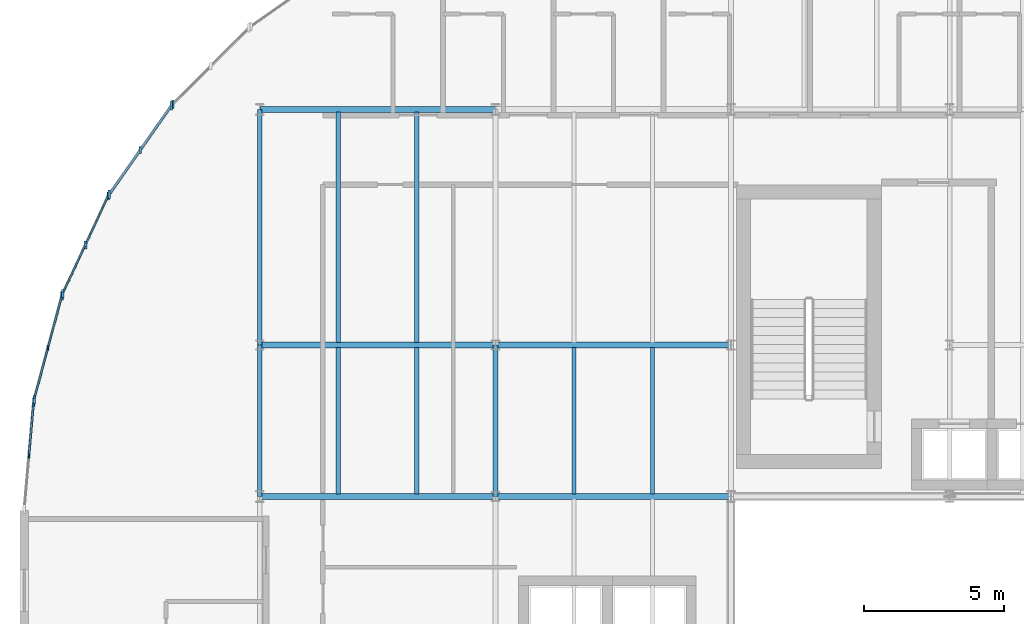
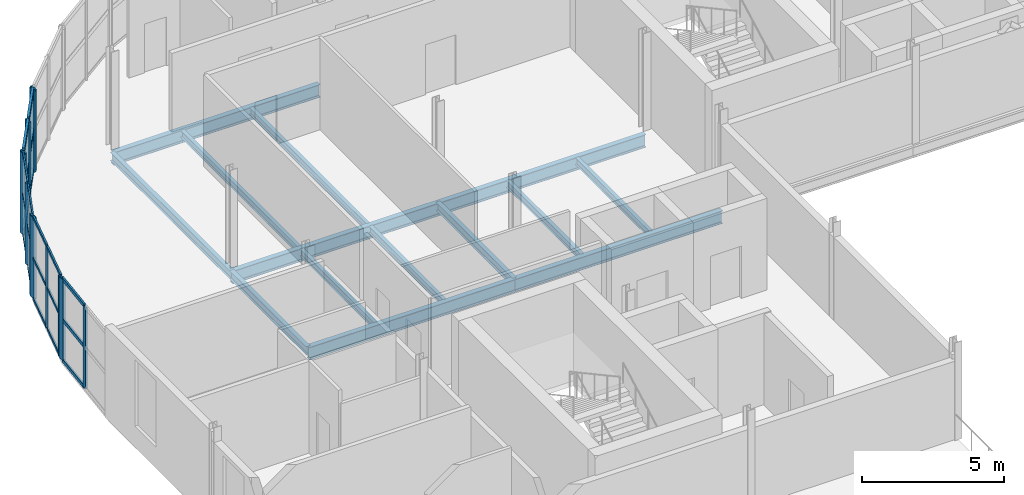
# One storey, part 5 of 22: 33 members, 14 beams, 5 elements without a shape of their own.
"""IFC4 building model written with IfcOpenShell, lengths in metres."""

from ifc_helpers import new_model, si_unit, direction, frame, origin, origin_2d, place, context, subcontext, project, spatial, rectangle, i_section, extrude, material, layer, layer_set, material_profile, profile_set, type_object, element, aggregate, save


model = new_model("IFC4")

# Units and contexts
model_context = context("Model", 3, precision=1e-05, world=origin(), true_north=direction((0.0, 1.0)))
body_context = subcontext(model_context, "Body", "Model", "MODEL_VIEW")
ifc_project = project(units=[si_unit("LENGTHUNIT", "METRE"), si_unit("AREAUNIT", "SQUARE_METRE"), si_unit("VOLUMEUNIT", "CUBIC_METRE"), si_unit("PLANEANGLEUNIT", "RADIAN"), si_unit("MASSUNIT", "GRAM", prefix="KILO")], contexts=[model_context])

# Site, building, storey
site_placement = place(None, origin())
site = spatial("IfcSite", under=ifc_project, at=site_placement, CompositionType="ELEMENT")
building_placement = place(site_placement, origin())
building = spatial("IfcBuilding", under=site, at=building_placement, Name="Sefraquen Railside Congress Hotel", CompositionType="ELEMENT")
storey_placement = place(building_placement, frame((0.0, 0.0, 42.60009765625)))
storey = spatial("IfcBuildingStorey", under=building, at=storey_placement, Name="L10", CompositionType="ELEMENT", Elevation=42.60009765625)

# Beams
ifc_material_1 = material(Name="Steel S355JR", Category="steel")
ifc_material_profile_1 = material_profile(ifc_material_1, i_section(OverallWidth=0.169921875, OverallDepth=0.360107421875, WebThickness=0.008056640625, FlangeThickness=0.0126953125, FilletRadius=0.01806640625, at=origin_2d()), Name="IPE 360")
ifc_profile_set_1 = profile_set([ifc_material_profile_1], Name="Steel S355JR")
beam_type_1 = type_object("IfcBeamType", Name="TB-BM-360", PredefinedType="BEAM", material=ifc_profile_set_1)
beam_1_placement = place(storey_placement, frame((8.39990234375, 96.0, -0.400146484375), z_axis=(0.0, 1.0, 0.0), x_axis=(-1.0, 0.0, 0.0)))
element("IfcBeam", 1, at=beam_1_placement, inside=storey, type_object=beam_type_1, Name="Floor beam BM-L10-2107", PredefinedType="BEAM", context=body_context, shape_type="SweptSolid", body=[
    extrude(i_section(OverallWidth=0.169921875, OverallDepth=0.360107421875, WebThickness=0.008056640625, FlangeThickness=0.0126953125, FilletRadius=0.01806640625, at=origin_2d()), origin(), (0.0, 0.0, 1.0), 5.39990234375),
])
beam_2_placement = place(storey_placement, frame((8.39990234375, 101.39990234375, -0.400146484375), z_axis=(0.0, 1.0, 0.0), x_axis=(-1.0, 0.0, 0.0)))
element("IfcBeam", 2, at=beam_2_placement, inside=storey, type_object=beam_type_1, Name="Floor beam BM-L10-2108", PredefinedType="BEAM", context=body_context, shape_type="SweptSolid", body=[
    extrude(i_section(OverallWidth=0.169921875, OverallDepth=0.360107421875, WebThickness=0.008056640625, FlangeThickness=0.0126953125, FilletRadius=0.01806640625, at=origin_2d()), origin(), (0.0, 0.0, 1.0), 8.400146484375),
])
beam_3_placement = place(storey_placement, frame((16.800048828125, 96.0, -0.400146484375), z_axis=(0.0, 1.0, 0.0), x_axis=(-1.0, 0.0, 0.0)))
element("IfcBeam", 3, at=beam_3_placement, inside=storey, type_object=beam_type_1, Name="Floor beam BM-L10-2113", PredefinedType="BEAM", context=body_context, shape_type="SweptSolid", body=[
    extrude(i_section(OverallWidth=0.169921875, OverallDepth=0.360107421875, WebThickness=0.008056640625, FlangeThickness=0.0126953125, FilletRadius=0.01806640625, at=origin_2d()), origin(), (0.0, 0.0, 1.0), 5.39990234375),
])
ifc_material_profile_2 = material_profile(ifc_material_1, i_section(OverallWidth=0.2099609375, OverallDepth=0.550048828125, WebThickness=0.010986328125, FlangeThickness=0.01708984375, FilletRadius=0.02392578125, at=origin_2d()), Name="IPE 550")
ifc_profile_set_2 = profile_set([ifc_material_profile_2], Name="Steel S355JR")
beam_type_2 = type_object("IfcBeamType", Name="TB-GIR-550", PredefinedType="T_BEAM", material=ifc_profile_set_2)
beam_4_placement = place(storey_placement, frame((8.39990234375, 96.0, -0.4951171875), z_axis=(1.0, 0.0, 0.0), x_axis=(0.0, 1.0, 0.0)))
element("IfcBeam", 4, at=beam_4_placement, inside=storey, type_object=beam_type_2, Name="Primary girder BM-L10-2060", PredefinedType="T_BEAM", context=body_context, shape_type="SweptSolid", body=[
    extrude(i_section(OverallWidth=0.2099609375, OverallDepth=0.550048828125, WebThickness=0.010986328125, FlangeThickness=0.01708984375, FilletRadius=0.02392578125, at=origin_2d()), origin(), (0.0, 0.0, 1.0), 8.400146484375),
])
beam_5_placement = place(storey_placement, frame((16.800048828125, 96.0, -0.4951171875), z_axis=(1.0, 0.0, 0.0), x_axis=(0.0, 1.0, 0.0)))
element("IfcBeam", 5, at=beam_5_placement, inside=storey, type_object=beam_type_2, Name="Primary girder BM-L10-2061", PredefinedType="T_BEAM", context=body_context, shape_type="SweptSolid", body=[
    extrude(i_section(OverallWidth=0.2099609375, OverallDepth=0.550048828125, WebThickness=0.010986328125, FlangeThickness=0.01708984375, FilletRadius=0.02392578125, at=origin_2d()), origin(), (0.0, 0.0, 1.0), 8.39990234375),
])
beam_6_placement = place(storey_placement, frame((8.39990234375, 101.39990234375, -0.4951171875), z_axis=(1.0, 0.0, 0.0), x_axis=(0.0, 1.0, 0.0)))
element("IfcBeam", 6, at=beam_6_placement, inside=storey, type_object=beam_type_2, Name="Primary girder BM-L10-2071", PredefinedType="T_BEAM", context=body_context, shape_type="SweptSolid", body=[
    extrude(i_section(OverallWidth=0.2099609375, OverallDepth=0.550048828125, WebThickness=0.010986328125, FlangeThickness=0.01708984375, FilletRadius=0.02392578125, at=origin_2d()), origin(), (0.0, 0.0, 1.0), 8.400146484375),
])
beam_7_placement = place(storey_placement, frame((16.800048828125, 101.39990234375, -0.4951171875), z_axis=(1.0, 0.0, 0.0), x_axis=(0.0, 1.0, 0.0)))
element("IfcBeam", 7, at=beam_7_placement, inside=storey, type_object=beam_type_2, Name="Primary girder BM-L10-2072", PredefinedType="T_BEAM", context=body_context, shape_type="SweptSolid", body=[
    extrude(i_section(OverallWidth=0.2099609375, OverallDepth=0.550048828125, WebThickness=0.010986328125, FlangeThickness=0.01708984375, FilletRadius=0.02392578125, at=origin_2d()), origin(), (0.0, 0.0, 1.0), 8.39990234375),
])
beam_8_placement = place(storey_placement, frame((8.39990234375, 109.800048828125, -0.4951171875), z_axis=(1.0, 0.0, 0.0), x_axis=(0.0, 1.0, 0.0)))
element("IfcBeam", 8, at=beam_8_placement, inside=storey, type_object=beam_type_2, Name="Primary girder BM-L10-2080", PredefinedType="T_BEAM", context=body_context, shape_type="SweptSolid", body=[
    extrude(i_section(OverallWidth=0.2099609375, OverallDepth=0.550048828125, WebThickness=0.010986328125, FlangeThickness=0.01708984375, FilletRadius=0.02392578125, at=origin_2d()), origin(), (0.0, 0.0, 1.0), 8.400146484375),
])
ifc_material_profile_3 = material_profile(ifc_material_1, i_section(OverallWidth=0.14990234375, OverallDepth=0.300048828125, WebThickness=0.007080078125, FlangeThickness=0.0107421875, FilletRadius=0.014892578125, at=origin_2d()), Name="IPE 300")
ifc_profile_set_3 = profile_set([ifc_material_profile_3], Name="Steel S355JR")
beam_type_3 = type_object("IfcBeamType", Name="TB-JST-300", PredefinedType="JOIST", material=ifc_profile_set_3)
for number, where, z_axis, x_axis, name in (
    (9, (11.199951171875, 96.0849609375, -0.3701171875), (0.0, 1.0, 0.0), (-1.0, 0.0, 0.0), "Composite floor joist BM-L10-J1406"),
    (10, (14.0, 96.0849609375, -0.3701171875), (0.0, 1.0, 0.0), (-1.0, 0.0, 0.0), "Composite floor joist BM-L10-J1407"),
):
    element("IfcBeam", number, at=place(storey_placement, frame(where, z_axis=z_axis, x_axis=x_axis)), inside=storey, type_object=beam_type_3, Name=name, PredefinedType="JOIST", context=body_context, shape_type="SweptSolid", body=[
        extrude(i_section(OverallWidth=0.14990234375, OverallDepth=0.300048828125, WebThickness=0.007080078125, FlangeThickness=0.0107421875, FilletRadius=0.014892578125, at=origin_2d()), origin(), (0.0, 0.0, 1.0), 5.22998046875),
    ])
for number, where, z_axis, x_axis, name in (
    (11, (11.199951171875, 101.485107421875, -0.3701171875), (0.0, 1.0, 0.0), (-1.0, 0.0, 0.0), "Composite floor joist BM-L10-J1408"),
    (12, (14.0, 101.485107421875, -0.3701171875), (0.0, 1.0, 0.0), (-1.0, 0.0, 0.0), "Composite floor joist BM-L10-J1409"),
):
    element("IfcBeam", number, at=place(storey_placement, frame(where, z_axis=z_axis, x_axis=x_axis)), inside=storey, type_object=beam_type_3, Name=name, PredefinedType="JOIST", context=body_context, shape_type="SweptSolid", body=[
        extrude(i_section(OverallWidth=0.14990234375, OverallDepth=0.300048828125, WebThickness=0.007080078125, FlangeThickness=0.0107421875, FilletRadius=0.014892578125, at=origin_2d()), origin(), (0.0, 0.0, 1.0), 8.22998046875),
    ])
for number, where, z_axis, x_axis, name in (
    (13, (19.60009765625, 96.0849609375, -0.3701171875), (0.0, 1.0, 0.0), (-1.0, 0.0, 0.0), "Composite floor joist BM-L10-J1418"),
    (14, (22.39990234375, 96.0849609375, -0.3701171875), (0.0, 1.0, 0.0), (-1.0, 0.0, 0.0), "Composite floor joist BM-L10-J1419"),
):
    element("IfcBeam", number, at=place(storey_placement, frame(where, z_axis=z_axis, x_axis=x_axis)), inside=storey, type_object=beam_type_3, Name=name, PredefinedType="JOIST", context=body_context, shape_type="SweptSolid", body=[
        extrude(i_section(OverallWidth=0.14990234375, OverallDepth=0.300048828125, WebThickness=0.007080078125, FlangeThickness=0.0107421875, FilletRadius=0.014892578125, at=origin_2d()), origin(), (0.0, 0.0, 1.0), 5.22998046875),
    ])

# Curtain wall, member
ifc_material_2 = material(Name="Thermally broken anodised aluminium and low-E double glazing", Category="aluminium")
ifc_layer_1 = layer(ifc_material_2, 0.199951171875)
ifc_layer_set_1 = layer_set([ifc_layer_1], Name="Thermally broken anodised aluminium and low-E double glazing")
curtain_wall_type_1 = type_object("IfcCurtainWallType", Name="TCW-UCW-02", PredefinedType="USERDEFINED", material=ifc_layer_set_1)
curtain_wall_1_placement = place(storey_placement, origin())
curtain_wall_1 = element("IfcCurtainWall", 15, at=curtain_wall_1_placement, inside=storey, type_object=curtain_wall_type_1, Name="Rotunda L10 curved curtain wall facet 8", ObjectType="UNITISED CURTAIN WALL", PredefinedType="USERDEFINED")
ifc_material_3 = material(Name="Thermally broken anodised aluminium 6063-T6", Category="aluminium")
ifc_material_profile_4 = material_profile(ifc_material_3, rectangle(XDim=0.06005859375, YDim=0.159912109375, at=origin_2d()), Name="CWM 60x160")
ifc_profile_set_4 = profile_set([ifc_material_profile_4], Name="Thermally broken anodised aluminium 6063-T6")
member_type_1 = type_object("IfcMemberType", Name="TM-CWM-01", PredefinedType="MULLION", material=ifc_profile_set_4)
member_1_placement = place(storey_placement, frame((0.849365234375, 101.30126953125, 0.0), z_axis=(0.0, 0.0, 1.0), x_axis=(1.0, 0.0, 0.0)))
member_1 = element("IfcMember", 16, at=member_1_placement, type_object=member_type_1, Name="CW-L10-ROT-08 mullion 2", PredefinedType="MULLION", context=body_context, shape_type="SweptSolid", body=[
    extrude(rectangle(XDim=0.06005859375, YDim=0.159912109375, at=origin_2d()), origin(), (0.0, 0.0, 1.0), 3.489990234375),
])

ifc_layer_2 = layer(ifc_material_2, 0.199951171875)
ifc_layer_set_2 = layer_set([ifc_layer_2], Name="Thermally broken anodised aluminium and low-E double glazing")
curtain_wall_type_2 = type_object("IfcCurtainWallType", Name="TCW-UCW-03", PredefinedType="USERDEFINED", material=ifc_layer_set_2)
curtain_wall_2_placement = place(storey_placement, origin())
curtain_wall_2 = element("IfcCurtainWall", 17, at=curtain_wall_2_placement, inside=storey, type_object=curtain_wall_type_2, Name="Rotunda L10 curved curtain wall facet 9", ObjectType="UNITISED CURTAIN WALL", PredefinedType="USERDEFINED")
ifc_material_profile_5 = material_profile(ifc_material_3, rectangle(XDim=0.06494140625, YDim=0.179931640625, at=origin_2d()), Name="CWM 65x180")
ifc_profile_set_5 = profile_set([ifc_material_profile_5], Name="Thermally broken anodised aluminium 6063-T6")
member_type_2 = type_object("IfcMemberType", Name="TM-CWM-02", PredefinedType="MULLION", material=ifc_profile_set_5)
member_2_placement = place(storey_placement, frame((0.1708984375, 97.45361328125, 0.0), z_axis=(0.0, 0.0, 1.0), x_axis=(1.0, 0.0, 0.0)))
member_2 = element("IfcMember", 18, at=member_2_placement, type_object=member_type_2, Name="CW-L10-ROT-09 mullion 2", PredefinedType="MULLION", context=body_context, shape_type="SweptSolid", body=[
    extrude(rectangle(XDim=0.06494140625, YDim=0.179931640625, at=origin_2d()), origin(), (0.0, 0.0, 1.0), 3.489990234375),
])

ifc_layer_3 = layer(ifc_material_2, 0.199951171875)
ifc_layer_set_3 = layer_set([ifc_layer_3], Name="Thermally broken anodised aluminium and low-E double glazing")
curtain_wall_type_3 = type_object("IfcCurtainWallType", Name="TCW-UCW-32", PredefinedType="USERDEFINED", material=ifc_layer_set_3)
curtain_wall_3_placement = place(storey_placement, origin())
curtain_wall_3 = element("IfcCurtainWall", 19, at=curtain_wall_3_placement, inside=storey, type_object=curtain_wall_type_3, Name="Rotunda L10 curved curtain wall facet 6", ObjectType="UNITISED CURTAIN WALL", PredefinedType="USERDEFINED")
ifc_material_profile_6 = material_profile(ifc_material_3, rectangle(XDim=0.0849609375, YDim=0.260009765625, at=origin_2d()), Name="CWM 85x260")
ifc_profile_set_6 = profile_set([ifc_material_profile_6], Name="Thermally broken anodised aluminium 6063-T6")
member_type_3 = type_object("IfcMemberType", Name="TM-CWM-06", PredefinedType="MULLION", material=ifc_profile_set_6)
member_3_placement = place(storey_placement, frame((4.13916015625, 108.356201171875, 0.0), z_axis=(0.0, 0.0, 1.0), x_axis=(1.0, 0.0, 0.0)))
member_3 = element("IfcMember", 20, at=member_3_placement, type_object=member_type_3, Name="CW-L10-ROT-06 mullion 2", PredefinedType="MULLION", context=body_context, shape_type="SweptSolid", body=[
    extrude(rectangle(XDim=0.0849609375, YDim=0.260009765625, at=origin_2d()), origin(), (0.0, 0.0, 1.0), 3.489990234375),
])

ifc_layer_4 = layer(ifc_material_2, 0.199951171875)
ifc_layer_set_4 = layer_set([ifc_layer_4], Name="Thermally broken anodised aluminium and low-E double glazing")
curtain_wall_type_4 = type_object("IfcCurtainWallType", Name="TCW-UCW-01", PredefinedType="USERDEFINED", material=ifc_layer_set_4)
curtain_wall_4_placement = place(storey_placement, origin())
curtain_wall_4 = element("IfcCurtainWall", 21, at=curtain_wall_4_placement, inside=storey, type_object=curtain_wall_type_4, Name="Rotunda L10 curved curtain wall facet 7", ObjectType="UNITISED CURTAIN WALL", PredefinedType="USERDEFINED")
ifc_material_profile_7 = material_profile(ifc_material_3, rectangle(XDim=0.090087890625, YDim=0.280029296875, at=origin_2d()), Name="CWM 90x280")
ifc_profile_set_7 = profile_set([ifc_material_profile_7], Name="Thermally broken anodised aluminium 6063-T6")
member_type_4 = type_object("IfcMemberType", Name="TM-CWM-07", PredefinedType="MULLION", material=ifc_profile_set_7)
member_4_placement = place(storey_placement, frame((2.185546875, 104.972900390625, 0.0), z_axis=(0.0, 0.0, 1.0), x_axis=(1.0, 0.0, 0.0)))
member_4 = element("IfcMember", 22, at=member_4_placement, type_object=member_type_4, Name="CW-L10-ROT-07 mullion 2", PredefinedType="MULLION", context=body_context, shape_type="SweptSolid", body=[
    extrude(rectangle(XDim=0.090087890625, YDim=0.280029296875, at=origin_2d()), origin(), (0.0, 0.0, 1.0), 3.489990234375),
])

ifc_layer_5 = layer(ifc_material_2, 0.199951171875)
ifc_layer_set_5 = layer_set([ifc_layer_5], Name="Thermally broken anodised aluminium and low-E double glazing")
curtain_wall_type_5 = type_object("IfcCurtainWallType", Name="TCW-UCW-31", PredefinedType="USERDEFINED", material=ifc_layer_set_5)
curtain_wall_5_placement = place(storey_placement, origin())
curtain_wall_5 = element("IfcCurtainWall", 23, at=curtain_wall_5_placement, inside=storey, type_object=curtain_wall_type_5, Name="Rotunda L10 curved curtain wall facet 5", ObjectType="UNITISED CURTAIN WALL", PredefinedType="USERDEFINED")
ifc_material_profile_8 = material_profile(ifc_material_3, rectangle(XDim=0.094970703125, YDim=0.300048828125, at=origin_2d()), Name="CWM 95x300")
ifc_profile_set_8 = profile_set([ifc_material_profile_8], Name="Thermally broken anodised aluminium 6063-T6")
member_type_5 = type_object("IfcMemberType", Name="TM-CWM-08", PredefinedType="MULLION", material=ifc_profile_set_8)
member_5_placement = place(storey_placement, frame((5.292236328125, 109.990966796875, 0.0), z_axis=(0.0, 0.0, 1.0), x_axis=(1.0, 0.0, 0.0)))
member_5 = element("IfcMember", 24, at=member_5_placement, type_object=member_type_5, Name="CW-L10-ROT-05 mullion 3", PredefinedType="MULLION", context=body_context, shape_type="SweptSolid", body=[
    extrude(rectangle(XDim=0.094970703125, YDim=0.300048828125, at=origin_2d()), origin(), (0.0, 0.0, 1.0), 3.489990234375),
])
aggregate(curtain_wall_5, [member_5])

# Member
member_6_placement = place(storey_placement, frame((5.2412109375, 109.929931640625, 0.0), z_axis=(0.0, 0.0, 1.0), x_axis=(1.0, 0.0, 0.0)))
member_6 = element("IfcMember", 25, at=member_6_placement, type_object=member_type_5, Name="CW-L10-ROT-06 mullion 1", PredefinedType="MULLION", context=body_context, shape_type="SweptSolid", body=[
    extrude(rectangle(XDim=0.094970703125, YDim=0.300048828125, at=origin_2d()), origin(), (0.0, 0.0, 1.0), 3.489990234375),
])

member_7_placement = place(storey_placement, frame((3.037353515625, 106.78271484375, 0.0), z_axis=(0.0, 0.0, 1.0), x_axis=(1.0, 0.0, 0.0)))
member_7 = element("IfcMember", 26, at=member_7_placement, type_object=member_type_5, Name="CW-L10-ROT-06 mullion 3", PredefinedType="MULLION", context=body_context, shape_type="SweptSolid", body=[
    extrude(rectangle(XDim=0.094970703125, YDim=0.300048828125, at=origin_2d()), origin(), (0.0, 0.0, 1.0), 3.489990234375),
])

member_8_placement = place(storey_placement, frame((2.99755859375, 106.713623046875, 0.0), z_axis=(0.0, 0.0, 1.0), x_axis=(1.0, 0.0, 0.0)))
member_8 = element("IfcMember", 27, at=member_8_placement, type_object=member_type_5, Name="CW-L10-ROT-07 mullion 1", PredefinedType="MULLION", context=body_context, shape_type="SweptSolid", body=[
    extrude(rectangle(XDim=0.094970703125, YDim=0.300048828125, at=origin_2d()), origin(), (0.0, 0.0, 1.0), 3.489990234375),
])

member_9_placement = place(storey_placement, frame((1.373779296875, 103.231689453125, 0.0), z_axis=(0.0, 0.0, 1.0), x_axis=(1.0, 0.0, 0.0)))
member_9 = element("IfcMember", 28, at=member_9_placement, type_object=member_type_5, Name="CW-L10-ROT-07 mullion 3", PredefinedType="MULLION", context=body_context, shape_type="SweptSolid", body=[
    extrude(rectangle(XDim=0.094970703125, YDim=0.300048828125, at=origin_2d()), origin(), (0.0, 0.0, 1.0), 3.489990234375),
])

member_10_placement = place(storey_placement, frame((1.346435546875, 103.156982421875, 0.0), z_axis=(0.0, 0.0, 1.0), x_axis=(1.0, 0.0, 0.0)))
member_10 = element("IfcMember", 29, at=member_10_placement, type_object=member_type_5, Name="CW-L10-ROT-08 mullion 1", PredefinedType="MULLION", context=body_context, shape_type="SweptSolid", body=[
    extrude(rectangle(XDim=0.094970703125, YDim=0.300048828125, at=origin_2d()), origin(), (0.0, 0.0, 1.0), 3.489990234375),
])

member_11_placement = place(storey_placement, frame((0.352294921875, 99.44580078125, 0.0), z_axis=(0.0, 0.0, 1.0), x_axis=(1.0, 0.0, 0.0)))
member_11 = element("IfcMember", 30, at=member_11_placement, type_object=member_type_5, Name="CW-L10-ROT-08 mullion 3", PredefinedType="MULLION", context=body_context, shape_type="SweptSolid", body=[
    extrude(rectangle(XDim=0.094970703125, YDim=0.300048828125, at=origin_2d()), origin(), (0.0, 0.0, 1.0), 3.489990234375),
])

member_12_placement = place(storey_placement, frame((0.33837890625, 99.3671875, 0.0), z_axis=(0.0, 0.0, 1.0), x_axis=(1.0, 0.0, 0.0)))
member_12 = element("IfcMember", 31, at=member_12_placement, type_object=member_type_5, Name="CW-L10-ROT-09 mullion 1", PredefinedType="MULLION", context=body_context, shape_type="SweptSolid", body=[
    extrude(rectangle(XDim=0.094970703125, YDim=0.300048828125, at=origin_2d()), origin(), (0.0, 0.0, 1.0), 3.489990234375),
])

ifc_material_profile_9 = material_profile(ifc_material_3, rectangle(XDim=0.06005859375, YDim=0.1201171875, at=origin_2d()), Name="CWT 60x120")
ifc_profile_set_9 = profile_set([ifc_material_profile_9], Name="Thermally broken anodised aluminium 6063-T6")
member_type_6 = type_object("IfcMemberType", Name="TM-CWT-01", PredefinedType="USERDEFINED", material=ifc_profile_set_9)
member_13_placement = place(storey_placement, frame((2.978515625, 106.6728515625, 0.0), z_axis=(-0.422673771403, -0.906281900386, 0.0), x_axis=(0.906281900386, -0.422673771403, 0.0)))
member_13 = element("IfcMember", 32, at=member_13_placement, type_object=member_type_6, Name="CW-L10-ROT-07 transom 1.1", ObjectType="TRANSOM", PredefinedType="USERDEFINED", context=body_context, shape_type="SweptSolid", body=[
    extrude(rectangle(XDim=0.06005859375, YDim=0.1201171875, at=origin_2d()), origin(), (0.0, 0.0, 1.0), 1.8310546875),
])

member_14_placement = place(storey_placement, frame((2.166748046875, 104.931884765625, 0.0), z_axis=(-0.422724852641, -0.906258075252, 0.0), x_axis=(0.906258075252, -0.422724852641, 0.0)))
member_14 = element("IfcMember", 33, at=member_14_placement, type_object=member_type_6, Name="CW-L10-ROT-07 transom 1.2", ObjectType="TRANSOM", PredefinedType="USERDEFINED", context=body_context, shape_type="SweptSolid", body=[
    extrude(rectangle(XDim=0.06005859375, YDim=0.1201171875, at=origin_2d()), origin(), (0.0, 0.0, 1.0), 1.830810546875),
])

member_15_placement = place(storey_placement, frame((2.978515625, 106.6728515625, 1.744873046875), z_axis=(-0.422673771403, -0.906281900386, 0.0), x_axis=(0.906281900386, -0.422673771403, 0.0)))
member_15 = element("IfcMember", 34, at=member_15_placement, type_object=member_type_6, Name="CW-L10-ROT-07 transom 2.1", ObjectType="TRANSOM", PredefinedType="USERDEFINED", context=body_context, shape_type="SweptSolid", body=[
    extrude(rectangle(XDim=0.06005859375, YDim=0.1201171875, at=origin_2d()), origin(), (0.0, 0.0, 1.0), 1.8310546875),
])

member_16_placement = place(storey_placement, frame((2.166748046875, 104.931884765625, 1.744873046875), z_axis=(-0.422724852641, -0.906258075252, 0.0), x_axis=(0.906258075252, -0.422724852641, 0.0)))
member_16 = element("IfcMember", 35, at=member_16_placement, type_object=member_type_6, Name="CW-L10-ROT-07 transom 2.2", ObjectType="TRANSOM", PredefinedType="USERDEFINED", context=body_context, shape_type="SweptSolid", body=[
    extrude(rectangle(XDim=0.06005859375, YDim=0.1201171875, at=origin_2d()), origin(), (0.0, 0.0, 1.0), 1.830810546875),
])

member_17_placement = place(storey_placement, frame((2.978515625, 106.6728515625, 3.489990234375), z_axis=(-0.422673771403, -0.906281900386, 0.0), x_axis=(0.906281900386, -0.422673771403, 0.0)))
member_17 = element("IfcMember", 36, at=member_17_placement, type_object=member_type_6, Name="CW-L10-ROT-07 transom 3.1", ObjectType="TRANSOM", PredefinedType="USERDEFINED", context=body_context, shape_type="SweptSolid", body=[
    extrude(rectangle(XDim=0.06005859375, YDim=0.1201171875, at=origin_2d()), origin(), (0.0, 0.0, 1.0), 1.8310546875),
])

member_18_placement = place(storey_placement, frame((2.166748046875, 104.931884765625, 3.489990234375), z_axis=(-0.422724852641, -0.906258075252, 0.0), x_axis=(0.906258075252, -0.422724852641, 0.0)))
member_18 = element("IfcMember", 37, at=member_18_placement, type_object=member_type_6, Name="CW-L10-ROT-07 transom 3.2", ObjectType="TRANSOM", PredefinedType="USERDEFINED", context=body_context, shape_type="SweptSolid", body=[
    extrude(rectangle(XDim=0.06005859375, YDim=0.1201171875, at=origin_2d()), origin(), (0.0, 0.0, 1.0), 1.830810546875),
])

aggregate(curtain_wall_4, [member_8, member_4, member_9, member_13, member_14, member_15, member_16, member_17, member_18])

ifc_material_profile_10 = material_profile(ifc_material_3, rectangle(XDim=0.06494140625, YDim=0.135009765625, at=origin_2d()), Name="CWT 65x135")
ifc_profile_set_10 = profile_set([ifc_material_profile_10], Name="Thermally broken anodised aluminium 6063-T6")
member_type_7 = type_object("IfcMemberType", Name="TM-CWT-02", PredefinedType="USERDEFINED", material=ifc_profile_set_10)
member_19_placement = place(storey_placement, frame((1.3349609375, 103.11328125, 0.0), z_axis=(-0.25894046868, -0.965893282759, 0.0), x_axis=(0.965893282759, -0.25894046868, 0.0)))
member_19 = element("IfcMember", 38, at=member_19_placement, type_object=member_type_7, Name="CW-L10-ROT-08 transom 1.1", ObjectType="TRANSOM", PredefinedType="USERDEFINED", context=body_context, shape_type="SweptSolid", body=[
    extrude(rectangle(XDim=0.06494140625, YDim=0.135009765625, at=origin_2d()), origin(), (0.0, 0.0, 1.0), 1.8310546875),
])

member_20_placement = place(storey_placement, frame((0.837646484375, 101.2578125, 0.0), z_axis=(-0.258816065499, -0.965926624666, 0.0), x_axis=(0.965926624666, -0.258816065499, 0.0)))
member_20 = element("IfcMember", 39, at=member_20_placement, type_object=member_type_7, Name="CW-L10-ROT-08 transom 1.2", ObjectType="TRANSOM", PredefinedType="USERDEFINED", context=body_context, shape_type="SweptSolid", body=[
    extrude(rectangle(XDim=0.06494140625, YDim=0.135009765625, at=origin_2d()), origin(), (0.0, 0.0, 1.0), 1.8310546875),
])

member_21_placement = place(storey_placement, frame((1.3349609375, 103.11328125, 1.744873046875), z_axis=(-0.25894046868, -0.965893282759, 0.0), x_axis=(0.965893282759, -0.25894046868, 0.0)))
member_21 = element("IfcMember", 40, at=member_21_placement, type_object=member_type_7, Name="CW-L10-ROT-08 transom 2.1", ObjectType="TRANSOM", PredefinedType="USERDEFINED", context=body_context, shape_type="SweptSolid", body=[
    extrude(rectangle(XDim=0.06494140625, YDim=0.135009765625, at=origin_2d()), origin(), (0.0, 0.0, 1.0), 1.8310546875),
])

member_22_placement = place(storey_placement, frame((0.837646484375, 101.2578125, 1.744873046875), z_axis=(-0.258816065499, -0.965926624666, 0.0), x_axis=(0.965926624666, -0.258816065499, 0.0)))
member_22 = element("IfcMember", 41, at=member_22_placement, type_object=member_type_7, Name="CW-L10-ROT-08 transom 2.2", ObjectType="TRANSOM", PredefinedType="USERDEFINED", context=body_context, shape_type="SweptSolid", body=[
    extrude(rectangle(XDim=0.06494140625, YDim=0.135009765625, at=origin_2d()), origin(), (0.0, 0.0, 1.0), 1.8310546875),
])

member_23_placement = place(storey_placement, frame((1.3349609375, 103.11328125, 3.489990234375), z_axis=(-0.25894046868, -0.965893282759, 0.0), x_axis=(0.965893282759, -0.25894046868, 0.0)))
member_23 = element("IfcMember", 42, at=member_23_placement, type_object=member_type_7, Name="CW-L10-ROT-08 transom 3.1", ObjectType="TRANSOM", PredefinedType="USERDEFINED", context=body_context, shape_type="SweptSolid", body=[
    extrude(rectangle(XDim=0.06494140625, YDim=0.135009765625, at=origin_2d()), origin(), (0.0, 0.0, 1.0), 1.8310546875),
])

member_24_placement = place(storey_placement, frame((0.837646484375, 101.2578125, 3.489990234375), z_axis=(-0.258816065499, -0.965926624666, 0.0), x_axis=(0.965926624666, -0.258816065499, 0.0)))
member_24 = element("IfcMember", 43, at=member_24_placement, type_object=member_type_7, Name="CW-L10-ROT-08 transom 3.2", ObjectType="TRANSOM", PredefinedType="USERDEFINED", context=body_context, shape_type="SweptSolid", body=[
    extrude(rectangle(XDim=0.06494140625, YDim=0.135009765625, at=origin_2d()), origin(), (0.0, 0.0, 1.0), 1.8310546875),
])

aggregate(curtain_wall_1, [member_10, member_1, member_11, member_19, member_20, member_21, member_22, member_23, member_24])

ifc_material_profile_11 = material_profile(ifc_material_3, rectangle(XDim=0.070068359375, YDim=0.14990234375, at=origin_2d()), Name="CWT 70x150")
ifc_profile_set_11 = profile_set([ifc_material_profile_11], Name="Thermally broken anodised aluminium 6063-T6")
member_type_8 = type_object("IfcMemberType", Name="TM-CWT-03", PredefinedType="USERDEFINED", material=ifc_profile_set_11)
member_25_placement = place(storey_placement, frame((0.33447265625, 99.322509765625, 0.0), z_axis=(-0.087193412302, -0.996191401715, 0.0), x_axis=(0.996191401715, -0.087193412302, 0.0)))
member_25 = element("IfcMember", 44, at=member_25_placement, type_object=member_type_8, Name="CW-L10-ROT-09 transom 1.1", ObjectType="TRANSOM", PredefinedType="USERDEFINED", context=body_context, shape_type="SweptSolid", body=[
    extrude(rectangle(XDim=0.070068359375, YDim=0.14990234375, at=origin_2d()), origin(), (0.0, 0.0, 1.0), 1.831298828125),
])

member_26_placement = place(storey_placement, frame((0.33447265625, 99.322509765625, 1.744873046875), z_axis=(-0.087193412302, -0.996191401715, 0.0), x_axis=(0.996191401715, -0.087193412302, 0.0)))
member_26 = element("IfcMember", 45, at=member_26_placement, type_object=member_type_8, Name="CW-L10-ROT-09 transom 2.1", ObjectType="TRANSOM", PredefinedType="USERDEFINED", context=body_context, shape_type="SweptSolid", body=[
    extrude(rectangle(XDim=0.070068359375, YDim=0.14990234375, at=origin_2d()), origin(), (0.0, 0.0, 1.0), 1.831298828125),
])

member_27_placement = place(storey_placement, frame((0.33447265625, 99.322509765625, 3.489990234375), z_axis=(-0.087193412302, -0.996191401715, 0.0), x_axis=(0.996191401715, -0.087193412302, 0.0)))
member_27 = element("IfcMember", 46, at=member_27_placement, type_object=member_type_8, Name="CW-L10-ROT-09 transom 3.1", ObjectType="TRANSOM", PredefinedType="USERDEFINED", context=body_context, shape_type="SweptSolid", body=[
    extrude(rectangle(XDim=0.070068359375, YDim=0.14990234375, at=origin_2d()), origin(), (0.0, 0.0, 1.0), 1.831298828125),
])

aggregate(curtain_wall_2, [member_12, member_2, member_25, member_26, member_27])

ifc_material_profile_12 = material_profile(ifc_material_3, rectangle(XDim=0.094970703125, YDim=0.22509765625, at=origin_2d()), Name="CWT 95x225")
ifc_profile_set_12 = profile_set([ifc_material_profile_12], Name="Thermally broken anodised aluminium 6063-T6")
member_type_9 = type_object("IfcMemberType", Name="TM-CWT-08", PredefinedType="USERDEFINED", material=ifc_profile_set_12)
member_28_placement = place(storey_placement, frame((5.21533203125, 109.89306640625, 0.0), z_axis=(-0.573632363976, -0.819112880499, 0.0), x_axis=(0.819112880499, -0.573632363976, 0.0)))
member_28 = element("IfcMember", 47, at=member_28_placement, type_object=member_type_9, Name="CW-L10-ROT-06 transom 1.1", ObjectType="TRANSOM", PredefinedType="USERDEFINED", context=body_context, shape_type="SweptSolid", body=[
    extrude(rectangle(XDim=0.094970703125, YDim=0.22509765625, at=origin_2d()), origin(), (0.0, 0.0, 1.0), 1.8310546875),
])

member_29_placement = place(storey_placement, frame((4.11328125, 108.319580078125, 0.0), z_axis=(-0.573480241742, -0.819219392063, 0.0), x_axis=(0.819219392063, -0.573480241742, 0.0)))
member_29 = element("IfcMember", 48, at=member_29_placement, type_object=member_type_9, Name="CW-L10-ROT-06 transom 1.2", ObjectType="TRANSOM", PredefinedType="USERDEFINED", context=body_context, shape_type="SweptSolid", body=[
    extrude(rectangle(XDim=0.094970703125, YDim=0.22509765625, at=origin_2d()), origin(), (0.0, 0.0, 1.0), 1.8310546875),
])

member_30_placement = place(storey_placement, frame((5.21533203125, 109.89306640625, 1.744873046875), z_axis=(-0.573632363976, -0.819112880499, 0.0), x_axis=(0.819112880499, -0.573632363976, 0.0)))
member_30 = element("IfcMember", 49, at=member_30_placement, type_object=member_type_9, Name="CW-L10-ROT-06 transom 2.1", ObjectType="TRANSOM", PredefinedType="USERDEFINED", context=body_context, shape_type="SweptSolid", body=[
    extrude(rectangle(XDim=0.094970703125, YDim=0.22509765625, at=origin_2d()), origin(), (0.0, 0.0, 1.0), 1.8310546875),
])

member_31_placement = place(storey_placement, frame((4.11328125, 108.319580078125, 1.744873046875), z_axis=(-0.573480241742, -0.819219392063, 0.0), x_axis=(0.819219392063, -0.573480241742, 0.0)))
member_31 = element("IfcMember", 50, at=member_31_placement, type_object=member_type_9, Name="CW-L10-ROT-06 transom 2.2", ObjectType="TRANSOM", PredefinedType="USERDEFINED", context=body_context, shape_type="SweptSolid", body=[
    extrude(rectangle(XDim=0.094970703125, YDim=0.22509765625, at=origin_2d()), origin(), (0.0, 0.0, 1.0), 1.8310546875),
])

member_32_placement = place(storey_placement, frame((5.21533203125, 109.89306640625, 3.489990234375), z_axis=(-0.573632363976, -0.819112880499, 0.0), x_axis=(0.819112880499, -0.573632363976, 0.0)))
member_32 = element("IfcMember", 51, at=member_32_placement, type_object=member_type_9, Name="CW-L10-ROT-06 transom 3.1", ObjectType="TRANSOM", PredefinedType="USERDEFINED", context=body_context, shape_type="SweptSolid", body=[
    extrude(rectangle(XDim=0.094970703125, YDim=0.22509765625, at=origin_2d()), origin(), (0.0, 0.0, 1.0), 1.8310546875),
])

member_33_placement = place(storey_placement, frame((4.11328125, 108.319580078125, 3.489990234375), z_axis=(-0.573480241742, -0.819219392063, 0.0), x_axis=(0.819219392063, -0.573480241742, 0.0)))
member_33 = element("IfcMember", 52, at=member_33_placement, type_object=member_type_9, Name="CW-L10-ROT-06 transom 3.2", ObjectType="TRANSOM", PredefinedType="USERDEFINED", context=body_context, shape_type="SweptSolid", body=[
    extrude(rectangle(XDim=0.094970703125, YDim=0.22509765625, at=origin_2d()), origin(), (0.0, 0.0, 1.0), 1.8310546875),
])

aggregate(curtain_wall_3, [member_6, member_3, member_7, member_28, member_29, member_30, member_31, member_32, member_33])

save(model, "model.ifc")
